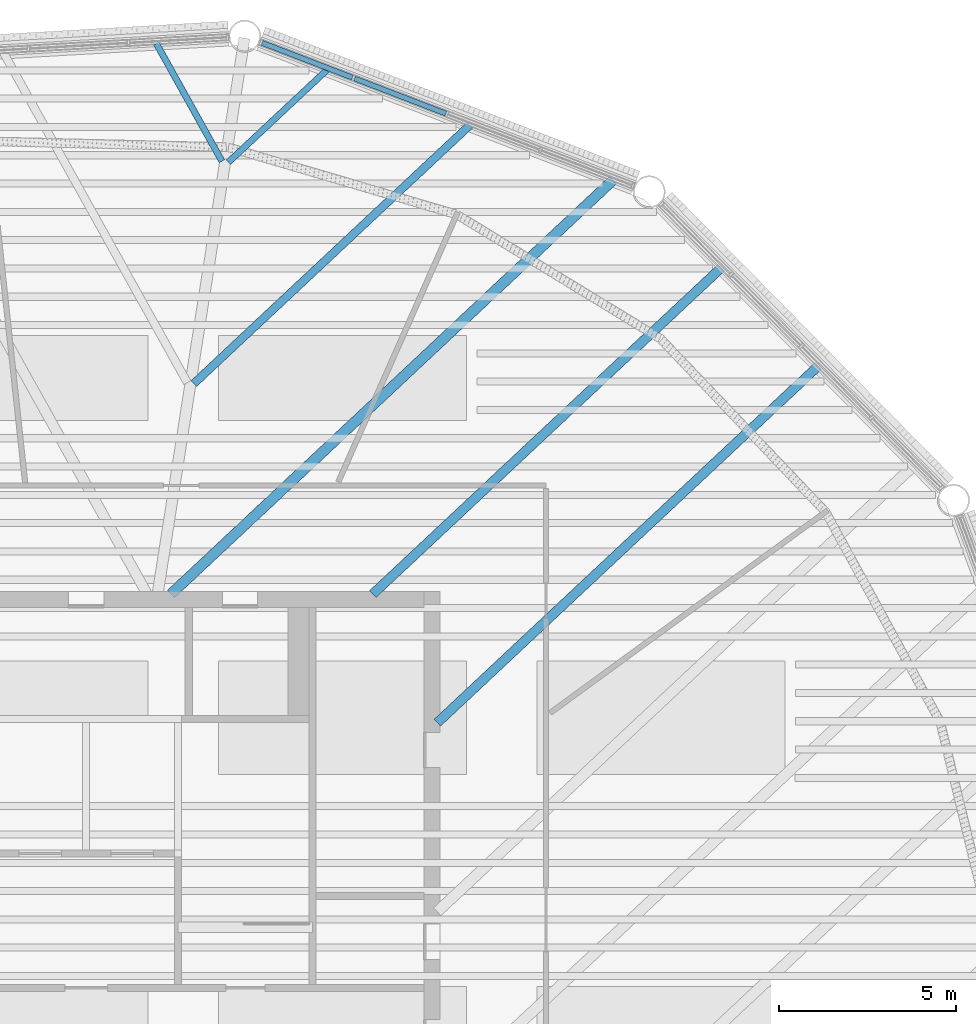
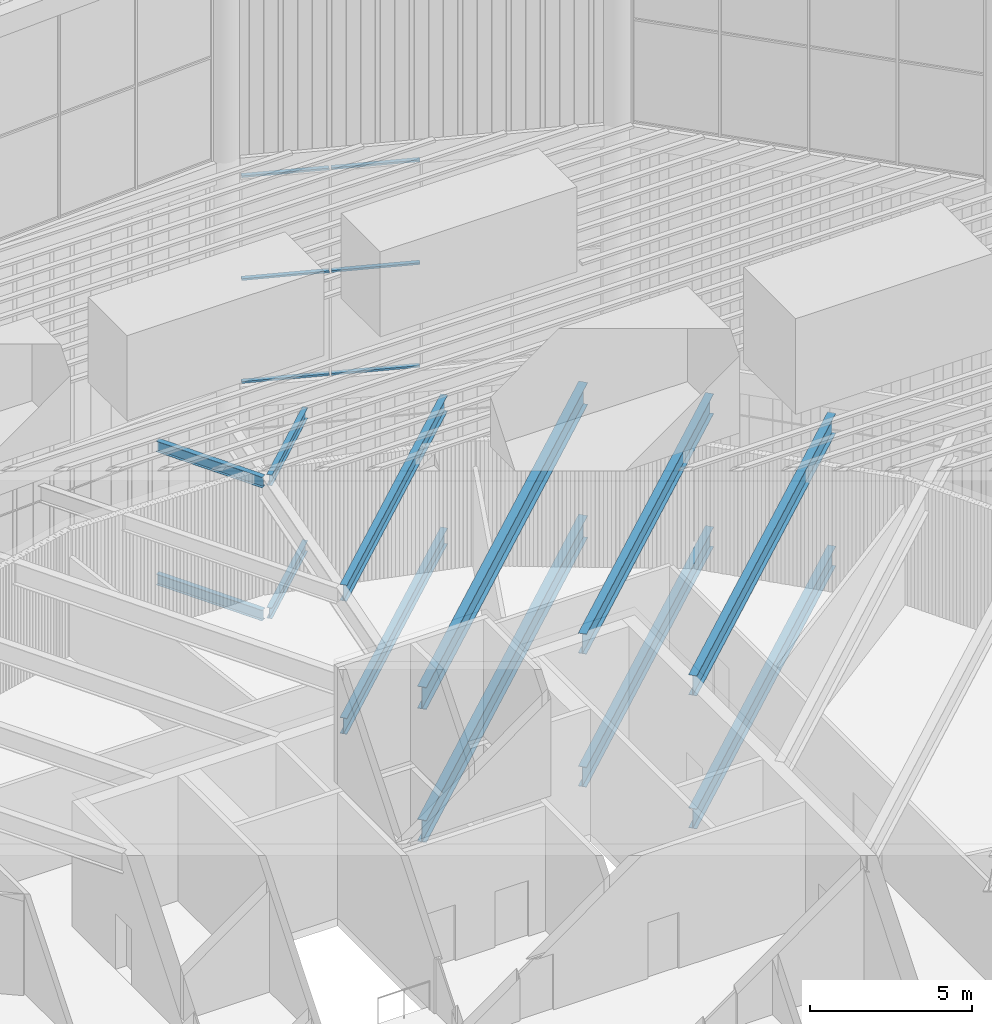
# One storey, part 56 of 117: 12 beams, 6 members, 1 element without a shape of its own.
"""IFC4 building model written with IfcOpenShell, lengths in metres."""

from ifc_helpers import new_model, si_unit, direction, frame, origin, origin_2d, place, context, subcontext, project, spatial, hollow_rectangle, i_section, extrude, material, layer, layer_set, material_profile, profile_set, type_object, element, aggregate, save


model = new_model("IFC4")

# Units and contexts
model_context = context("Model", 3, precision=1e-05, world=origin(), true_north=direction((0.0, 1.0)))
body_context = subcontext(model_context, "Body", "Model", "MODEL_VIEW")
ifc_project = project(units=[si_unit("LENGTHUNIT", "METRE"), si_unit("AREAUNIT", "SQUARE_METRE"), si_unit("VOLUMEUNIT", "CUBIC_METRE"), si_unit("PLANEANGLEUNIT", "RADIAN"), si_unit("MASSUNIT", "GRAM", prefix="KILO")], contexts=[model_context])

# Site, building, storey
site_placement = place(None, origin())
site = spatial("IfcSite", under=ifc_project, at=site_placement, CompositionType="ELEMENT")
building_placement = place(site_placement, origin())
building = spatial("IfcBuilding", under=site, at=building_placement, Name="Tarsis Ring Headquarters", CompositionType="ELEMENT")
storey_placement = place(building_placement, frame((0.0, 0.0, 403.60009765625)))
storey = spatial("IfcBuildingStorey", under=building, at=storey_placement, Name="L95", CompositionType="ELEMENT", Elevation=403.60009765625)

# Curtain wall, members
ifc_material_1 = material(Name="Aluminium curtain wall", Category="aluminium")
ifc_layer = layer(ifc_material_1, 0.179931640625)
ifc_layer_set = layer_set([ifc_layer], Name="Curtain wall crown glazing")
curtain_wall_type = type_object("IfcCurtainWallType", Name="Curtain wall crown glazing", PredefinedType="NOTDEFINED", material=ifc_layer_set)
curtain_wall_placement = place(storey_placement, origin())
curtain_wall = element("IfcCurtainWall", 1, at=curtain_wall_placement, inside=storey, type_object=curtain_wall_type, Name="Crown glazing L9", PredefinedType="NOTDEFINED")
ifc_material_2 = material(Name="Aluminium transom", Category="aluminium")
ifc_material_profile_1 = material_profile(ifc_material_2, hollow_rectangle(XDim=0.14990234375, YDim=0.070068359375, WallThickness=0.0048828125, at=origin_2d()), Name="RHS 150x70x5")
ifc_profile_set_1 = profile_set([ifc_material_profile_1], Name="Aluminium transom")
member_type = type_object("IfcMemberType", Name="Crown glazing transom RHS 150x70x5", PredefinedType="USERDEFINED", material=ifc_profile_set_1)
member_1_placement = place(storey_placement, frame((10.1669921875, 26.512939453125, 5.8349609375), z_axis=(-0.933259057264, 0.359204025638, 0.0), x_axis=(-0.359204025638, -0.933259057264, 0.0)))
member_1 = element("IfcMember", 2, at=member_1_placement, type_object=member_type, Name="CW-C transom 3.1", ObjectType="TRANSOM", PredefinedType="USERDEFINED", context=body_context, shape_type="SweptSolid", body=[
    extrude(hollow_rectangle(XDim=0.14990234375, YDim=0.070068359375, WallThickness=0.0048828125, at=origin_2d()), origin(), (0.0, 0.0, 1.0), 2.763427734375),
])
member_2_placement = place(storey_placement, frame((10.1669921875, 26.512939453125, 9.699951171875), z_axis=(-0.933259057264, 0.359204025638, 0.0), x_axis=(-0.359204025638, -0.933259057264, 0.0)))
member_2 = element("IfcMember", 3, at=member_2_placement, type_object=member_type, Name="CW-C transom 3.2", ObjectType="TRANSOM", PredefinedType="USERDEFINED", context=body_context, shape_type="SweptSolid", body=[
    extrude(hollow_rectangle(XDim=0.14990234375, YDim=0.070068359375, WallThickness=0.0048828125, at=origin_2d()), origin(), (0.0, 0.0, 1.0), 2.763427734375),
])
member_3_placement = place(storey_placement, frame((10.1669921875, 26.512939453125, 13.56494140625), z_axis=(-0.933259057264, 0.359204025638, 0.0), x_axis=(-0.359204025638, -0.933259057264, 0.0)))
member_3 = element("IfcMember", 4, at=member_3_placement, type_object=member_type, Name="CW-C transom 3.3", ObjectType="TRANSOM", PredefinedType="USERDEFINED", context=body_context, shape_type="SweptSolid", body=[
    extrude(hollow_rectangle(XDim=0.14990234375, YDim=0.070068359375, WallThickness=0.0048828125, at=origin_2d()), origin(), (0.0, 0.0, 1.0), 2.763427734375),
])
member_4_placement = place(storey_placement, frame((7.5224609375, 27.53076171875, 5.8349609375), z_axis=(-0.933253339094, 0.359218881839, 0.0), x_axis=(-0.359218881839, -0.933253339094, 0.0)))
member_4 = element("IfcMember", 5, at=member_4_placement, type_object=member_type, Name="CW-C transom 4.1", ObjectType="TRANSOM", PredefinedType="USERDEFINED", context=body_context, shape_type="SweptSolid", body=[
    extrude(hollow_rectangle(XDim=0.14990234375, YDim=0.070068359375, WallThickness=0.0048828125, at=origin_2d()), origin(), (0.0, 0.0, 1.0), 2.728759765625),
])
member_5_placement = place(storey_placement, frame((7.5224609375, 27.53076171875, 9.699951171875), z_axis=(-0.933253339094, 0.359218881839, 0.0), x_axis=(-0.359218881839, -0.933253339094, 0.0)))
member_5 = element("IfcMember", 6, at=member_5_placement, type_object=member_type, Name="CW-C transom 4.2", ObjectType="TRANSOM", PredefinedType="USERDEFINED", context=body_context, shape_type="SweptSolid", body=[
    extrude(hollow_rectangle(XDim=0.14990234375, YDim=0.070068359375, WallThickness=0.0048828125, at=origin_2d()), origin(), (0.0, 0.0, 1.0), 2.728759765625),
])
member_6_placement = place(storey_placement, frame((7.5224609375, 27.53076171875, 13.56494140625), z_axis=(-0.933253339094, 0.359218881839, 0.0), x_axis=(-0.359218881839, -0.933253339094, 0.0)))
member_6 = element("IfcMember", 7, at=member_6_placement, type_object=member_type, Name="CW-C transom 4.3", ObjectType="TRANSOM", PredefinedType="USERDEFINED", context=body_context, shape_type="SweptSolid", body=[
    extrude(hollow_rectangle(XDim=0.14990234375, YDim=0.070068359375, WallThickness=0.0048828125, at=origin_2d()), origin(), (0.0, 0.0, 1.0), 2.728759765625),
])
aggregate(curtain_wall, [member_1, member_2, member_3, member_4, member_5, member_6])

# Beams
ifc_material_3 = material(Name="Structural steel S355", Category="steel")
ifc_material_profile_2 = material_profile(ifc_material_3, i_section(OverallWidth=0.177734375, OverallDepth=0.406494140625, WebThickness=0.0078125, FlangeThickness=0.0126953125, at=origin_2d()), Name="W16x40")
ifc_profile_set_2 = profile_set([ifc_material_profile_2], Name="Structural steel S355")
beam_type_1 = type_object("IfcBeamType", Name="FB Floor beam W16x40", PredefinedType="JOIST", material=ifc_profile_set_2)
beam_1_placement = place(storey_placement, frame((4.022216796875, 25.138671875, -0.50341796875), z_axis=(0.729934959116, 0.683516609498, 0.0), x_axis=(-0.683516609498, 0.729934959116, 0.0)))
element("IfcBeam", 8, at=beam_1_placement, inside=storey, type_object=beam_type_1, Name="Floor beam FB1", PredefinedType="JOIST", context=body_context, shape_type="SweptSolid", body=[
    extrude(i_section(OverallWidth=0.177734375, OverallDepth=0.406494140625, WebThickness=0.0078125, FlangeThickness=0.0126953125, at=origin_2d()), origin(), (0.0, 0.0, 1.0), 3.807861328125),
])
beam_2_placement = place(storey_placement, frame((1.984375, 28.494140625, -0.50341796875), z_axis=(0.486671405098, -0.873585109454, 0.0), x_axis=(0.873585109454, 0.486671405098, 0.0)))
element("IfcBeam", 9, at=beam_2_placement, inside=storey, type_object=beam_type_1, Name="Floor beam FB1", PredefinedType="JOIST", context=body_context, shape_type="SweptSolid", body=[
    extrude(i_section(OverallWidth=0.177734375, OverallDepth=0.406494140625, WebThickness=0.0078125, FlangeThickness=0.0126953125, at=origin_2d()), origin(), (0.0, 0.0, 1.0), 3.80810546875),
])
beam_3_placement = place(storey_placement, frame((4.022216796875, 25.138671875, 4.49658203125), z_axis=(0.729934959116, 0.683516609498, 0.0), x_axis=(-0.683516609498, 0.729934959116, 0.0)))
element("IfcBeam", 10, at=beam_3_placement, inside=storey, type_object=beam_type_1, Name="Floor beam FB1", PredefinedType="JOIST", context=body_context, shape_type="SweptSolid", body=[
    extrude(i_section(OverallWidth=0.177734375, OverallDepth=0.406494140625, WebThickness=0.0078125, FlangeThickness=0.0126953125, at=origin_2d()), origin(), (0.0, 0.0, 1.0), 3.807861328125),
])
beam_4_placement = place(storey_placement, frame((1.984375, 28.494140625, 4.49658203125), z_axis=(0.486671405098, -0.873585109454, 0.0), x_axis=(0.873585109454, 0.486671405098, 0.0)))
element("IfcBeam", 11, at=beam_4_placement, inside=storey, type_object=beam_type_1, Name="Floor beam FB1", PredefinedType="JOIST", context=body_context, shape_type="SweptSolid", body=[
    extrude(i_section(OverallWidth=0.177734375, OverallDepth=0.406494140625, WebThickness=0.0078125, FlangeThickness=0.0126953125, at=origin_2d()), origin(), (0.0, 0.0, 1.0), 3.80810546875),
])
ifc_material_profile_3 = material_profile(ifc_material_3, i_section(OverallWidth=0.228271484375, OverallDepth=0.607177734375, WebThickness=0.01123046875, FlangeThickness=0.017333984375, at=origin_2d()), Name="W24x76")
ifc_profile_set_3 = profile_set([ifc_material_profile_3], Name="Structural steel S355")
beam_type_2 = type_object("IfcBeamType", Name="FB Floor beam W24x76", PredefinedType="JOIST", material=ifc_profile_set_3)
for number, where, z_axis, x_axis, name in (
    (12, (3.044189453125, 18.8798828125, -0.603759765625), (0.729934582719, 0.683517011457, 0.0), (-0.683517011457, 0.729934582719, 0.0), "Floor beam FB4"),
    (13, (3.044189453125, 18.8798828125, 4.396240234375), (0.729934582719, 0.683517011457, 0.0), (-0.683517011457, 0.729934582719, 0.0), "Floor beam FB4"),
):
    element("IfcBeam", number, at=place(storey_placement, frame(where, z_axis=z_axis, x_axis=x_axis)), inside=storey, type_object=beam_type_2, Name=name, PredefinedType="JOIST", context=body_context, shape_type="SweptSolid", body=[
        extrude(i_section(OverallWidth=0.228271484375, OverallDepth=0.607177734375, WebThickness=0.01123046875, FlangeThickness=0.017333984375, at=origin_2d()), origin(), (0.0, 0.0, 1.0), 10.687744140625),
    ])
ifc_material_profile_4 = material_profile(ifc_material_3, i_section(OverallWidth=0.2666015625, OverallDepth=0.7568359375, WebThickness=0.013916015625, FlangeThickness=0.019287109375, at=origin_2d()), Name="W30x108")
ifc_profile_set_4 = profile_set([ifc_material_profile_4], Name="Structural steel S355")
beam_type_3 = type_object("IfcBeamType", Name="FB Floor beam W30x108", PredefinedType="JOIST", material=ifc_profile_set_4)
beam_5_placement = place(storey_placement, frame((8.103759765625, 12.931640625, -0.678466796875), z_axis=(0.729915592105, 0.683537291157, 0.0), x_axis=(-0.683537291157, 0.729915592105, 0.0)))
element("IfcBeam", 14, at=beam_5_placement, inside=storey, type_object=beam_type_3, Name="Floor beam FB6", PredefinedType="JOIST", context=body_context, shape_type="SweptSolid", body=[
    extrude(i_section(OverallWidth=0.2666015625, OverallDepth=0.7568359375, WebThickness=0.013916015625, FlangeThickness=0.019287109375, at=origin_2d()), origin(), (0.0, 0.0, 1.0), 13.4970703125),
])
beam_6_placement = place(storey_placement, frame((9.927001953125, 9.296142578125, -0.678466796875), z_axis=(0.729927759045, 0.683524298453, 0.0), x_axis=(-0.683524298453, 0.729927759045, 0.0)))
element("IfcBeam", 15, at=beam_6_placement, inside=storey, type_object=beam_type_3, Name="Floor beam FB6", PredefinedType="JOIST", context=body_context, shape_type="SweptSolid", body=[
    extrude(i_section(OverallWidth=0.2666015625, OverallDepth=0.7568359375, WebThickness=0.013916015625, FlangeThickness=0.019287109375, at=origin_2d()), origin(), (0.0, 0.0, 1.0), 14.752685546875),
])
beam_7_placement = place(storey_placement, frame((8.103759765625, 12.931640625, 4.321533203125), z_axis=(0.729915592105, 0.683537291157, 0.0), x_axis=(-0.683537291157, 0.729915592105, 0.0)))
element("IfcBeam", 16, at=beam_7_placement, inside=storey, type_object=beam_type_3, Name="Floor beam FB6", PredefinedType="JOIST", context=body_context, shape_type="SweptSolid", body=[
    extrude(i_section(OverallWidth=0.2666015625, OverallDepth=0.7568359375, WebThickness=0.013916015625, FlangeThickness=0.019287109375, at=origin_2d()), origin(), (0.0, 0.0, 1.0), 13.4970703125),
])
beam_8_placement = place(storey_placement, frame((9.927001953125, 9.296142578125, 4.321533203125), z_axis=(0.729927759045, 0.683524298453, 0.0), x_axis=(-0.683524298453, 0.729927759045, 0.0)))
element("IfcBeam", 17, at=beam_8_placement, inside=storey, type_object=beam_type_3, Name="Floor beam FB6", PredefinedType="JOIST", context=body_context, shape_type="SweptSolid", body=[
    extrude(i_section(OverallWidth=0.2666015625, OverallDepth=0.7568359375, WebThickness=0.013916015625, FlangeThickness=0.019287109375, at=origin_2d()), origin(), (0.0, 0.0, 1.0), 14.752685546875),
])
ifc_material_profile_5 = material_profile(ifc_material_3, i_section(OverallWidth=0.2919921875, OverallDepth=0.835693359375, WebThickness=0.013916015625, FlangeThickness=0.018798828125, at=origin_2d()), Name="W33x118")
ifc_profile_set_5 = profile_set([ifc_material_profile_5], Name="Structural steel S355")
beam_type_4 = type_object("IfcBeamType", Name="FB Floor beam W33x118", PredefinedType="JOIST", material=ifc_profile_set_5)
for number, where, z_axis, x_axis, name in (
    (18, (2.39794921875, 12.931640625, -0.718017578125), (0.729923710349, 0.683528621983, 0.0), (-0.683528621983, 0.729923710349, 0.0), "Floor beam FB7"),
    (19, (2.39794921875, 12.931640625, 4.281982421875), (0.729923710349, 0.683528621983, 0.0), (-0.683528621983, 0.729923710349, 0.0), "Floor beam FB7"),
):
    element("IfcBeam", number, at=place(storey_placement, frame(where, z_axis=z_axis, x_axis=x_axis)), inside=storey, type_object=beam_type_4, Name=name, PredefinedType="JOIST", context=body_context, shape_type="SweptSolid", body=[
        extrude(i_section(OverallWidth=0.2919921875, OverallDepth=0.835693359375, WebThickness=0.013916015625, FlangeThickness=0.018798828125, at=origin_2d()), origin(), (0.0, 0.0, 1.0), 17.11279296875),
    ])

save(model, "model.ifc")
